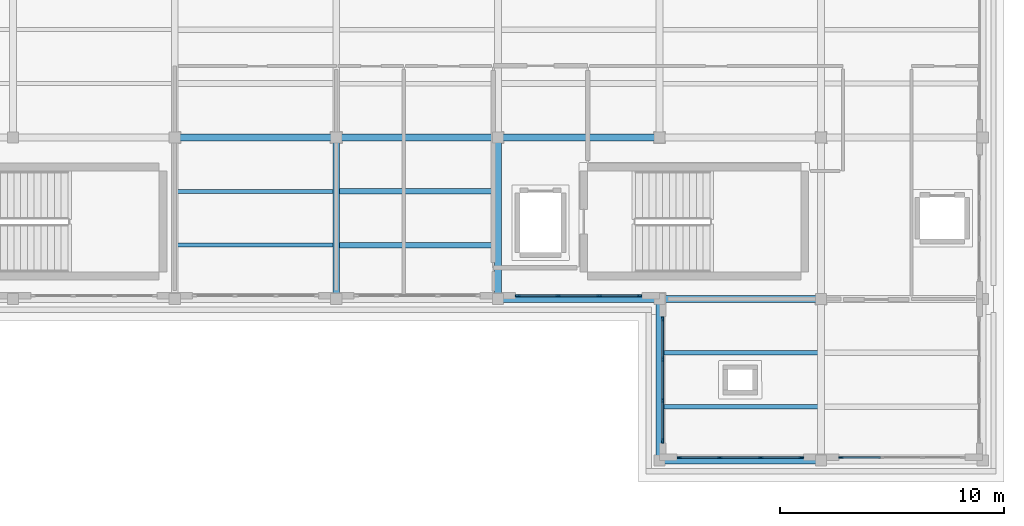
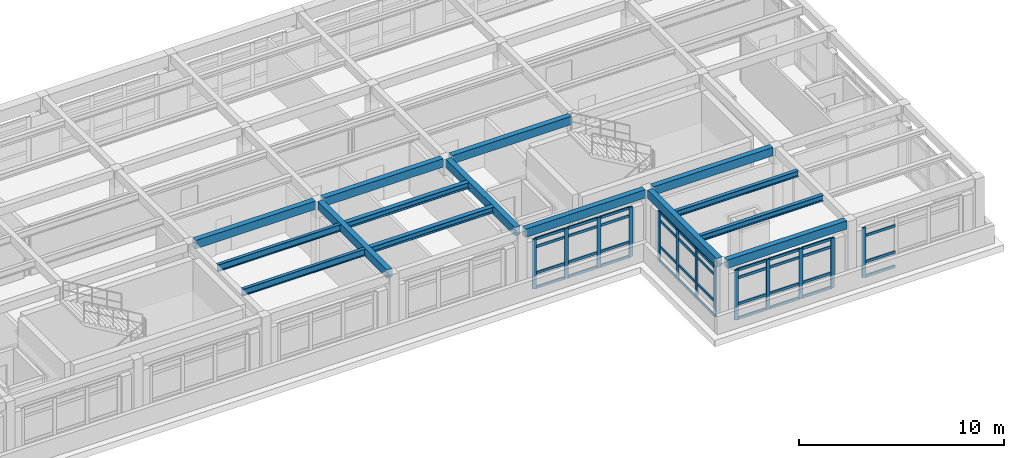
# One storey, part 5 of 18: 52 members, 15 beams, 4 elements without a shape of their own.
"""IFC4 building model written with IfcOpenShell, lengths in metres."""

from ifc_helpers import new_model, si_unit, direction, frame, origin, origin_2d, place, context, subcontext, project, spatial, rectangle, i_section, extrude, material, layer, layer_set, material_profile, profile_set, type_object, element, aggregate, save


model = new_model("IFC4")

# Units and contexts
model_context = context("Model", 3, precision=1e-05, world=origin(), true_north=direction((0.0, 1.0)))
body_context = subcontext(model_context, "Body", "Model", "MODEL_VIEW")
ifc_project = project(units=[si_unit("LENGTHUNIT", "METRE"), si_unit("AREAUNIT", "SQUARE_METRE"), si_unit("VOLUMEUNIT", "CUBIC_METRE"), si_unit("PLANEANGLEUNIT", "RADIAN"), si_unit("MASSUNIT", "GRAM", prefix="KILO")], contexts=[model_context])

# Site, building, storey
site_placement = place(None, origin())
site = spatial("IfcSite", under=ifc_project, at=site_placement, CompositionType="ELEMENT")
building_placement = place(site_placement, origin())
building = spatial("IfcBuilding", under=site, at=building_placement, Name="Solenvale Faculty of Natural Sciences", CompositionType="ELEMENT")
storey_placement = place(building_placement, frame((0.0, 0.0, 39.60009765625)))
storey = spatial("IfcBuildingStorey", under=building, at=storey_placement, Name="L09", CompositionType="ELEMENT", Elevation=39.60009765625)

# Beams
ifc_material_1 = material(Name="Concrete 40 MPa", Category="concrete")
ifc_material_profile_1 = material_profile(ifc_material_1, rectangle(XDim=0.300048828125, YDim=0.5, at=origin_2d()), Name="RC-BM-300x500")
ifc_profile_set_1 = profile_set([ifc_material_profile_1], Name="Concrete 40 MPa")
beam_type_1 = type_object("IfcBeamType", Name="BM-RC-300x500", PredefinedType="BEAM", material=ifc_profile_set_1)
for number, where, z_axis, x_axis, name in (
    (1, (137.030029296875, 86.39990234375, 3.669921875), (1.0, 0.0, 0.0), (0.0, 1.0, 0.0), "L09 X-Girder Y86.4 (136.8..144.0)"),
    (2, (129.830078125, 93.60009765625, 3.669921875), (1.0, 0.0, 0.0), (0.0, 1.0, 0.0), "L09 X-Girder Y93.6 (129.6..136.8)"),
    (3, (137.030029296875, 93.60009765625, 3.669921875), (1.0, 0.0, 0.0), (0.0, 1.0, 0.0), "L09 X-Girder Y93.6 (136.8..144.0)"),
    (4, (115.429931640625, 100.800048828125, 3.669921875), (1.0, 0.0, 0.0), (0.0, 1.0, 0.0), "L09 X-Girder Y100.8 (115.2..122.4)"),
):
    element("IfcBeam", number, at=place(storey_placement, frame(where, z_axis=z_axis, x_axis=x_axis)), inside=storey, type_object=beam_type_1, Name=name, PredefinedType="BEAM", context=body_context, shape_type="SweptSolid", body=[
        extrude(rectangle(XDim=0.300048828125, YDim=0.5, at=origin_2d()), origin(), (0.0, 0.0, 1.0), 6.739990234375),
    ])
beam_1_placement = place(storey_placement, frame((122.6298828125, 100.800048828125, 3.669921875), z_axis=(1.0, 0.0, 0.0), x_axis=(0.0, 1.0, 0.0)))
element("IfcBeam", 5, at=beam_1_placement, inside=storey, type_object=beam_type_1, Name="L09 X-Girder Y100.8 (122.4..129.6)", PredefinedType="BEAM", context=body_context, shape_type="SweptSolid", body=[
    extrude(rectangle(XDim=0.300048828125, YDim=0.5, at=origin_2d()), origin(), (0.0, 0.0, 1.0), 6.740234375),
])
for number, where, z_axis, x_axis, name in (
    (6, (129.830078125, 100.800048828125, 3.669921875), (1.0, 0.0, 0.0), (0.0, 1.0, 0.0), "L09 X-Girder Y100.8 (129.6..136.8)"),
    (7, (122.39990234375, 93.830078125, 3.669921875), (0.0, 1.0, 0.0), (-1.0, 0.0, 0.0), "L09 Y-Girder X122.4 (93.6..100.8)"),
    (8, (129.60009765625, 93.830078125, 3.669921875), (0.0, 1.0, 0.0), (-1.0, 0.0, 0.0), "L09 Y-Girder X129.6 (93.6..100.8)"),
):
    element("IfcBeam", number, at=place(storey_placement, frame(where, z_axis=z_axis, x_axis=x_axis)), inside=storey, type_object=beam_type_1, Name=name, PredefinedType="BEAM", context=body_context, shape_type="SweptSolid", body=[
        extrude(rectangle(XDim=0.300048828125, YDim=0.5, at=origin_2d()), origin(), (0.0, 0.0, 1.0), 6.739990234375),
    ])
beam_2_placement = place(storey_placement, frame((136.800048828125, 86.6298828125, 3.669921875), z_axis=(0.0, 1.0, 0.0), x_axis=(-1.0, 0.0, 0.0)))
element("IfcBeam", 9, at=beam_2_placement, inside=storey, type_object=beam_type_1, Name="L09 Y-Girder X136.8 (86.4..93.6)", PredefinedType="BEAM", context=body_context, shape_type="SweptSolid", body=[
    extrude(rectangle(XDim=0.300048828125, YDim=0.5, at=origin_2d()), origin(), (0.0, 0.0, 1.0), 6.740234375),
])
ifc_material_2 = material(Name="Steel S355", Category="steel")
ifc_material_profile_2 = material_profile(ifc_material_2, i_section(OverallWidth=0.2548828125, OverallDepth=0.35693359375, WebThickness=0.010498046875, FlangeThickness=0.018310546875, FilletRadius=0.014892578125, at=origin_2d()), Name="W360x101")
ifc_profile_set_2 = profile_set([ifc_material_profile_2], Name="Steel S355")
beam_type_2 = type_object("IfcBeamType", Name="BM-STL-W360x101", PredefinedType="JOIST", material=ifc_profile_set_2)
for number, where, z_axis, x_axis, name in (
    (10, (122.530029296875, 96.0, 3.741455078125), (1.0, 0.0, 0.0), (0.0, 1.0, 0.0), "L09 Composite Floor Joist (18,14).1"),
    (11, (122.530029296875, 98.39990234375, 3.741455078125), (1.0, 0.0, 0.0), (0.0, 1.0, 0.0), "L09 Composite Floor Joist (18,14).2"),
):
    element("IfcBeam", number, at=place(storey_placement, frame(where, z_axis=z_axis, x_axis=x_axis)), inside=storey, type_object=beam_type_2, Name=name, PredefinedType="JOIST", context=body_context, shape_type="SweptSolid", body=[
        extrude(i_section(OverallWidth=0.2548828125, OverallDepth=0.35693359375, WebThickness=0.010498046875, FlangeThickness=0.018310546875, FilletRadius=0.014892578125, at=origin_2d()), origin(), (0.0, 0.0, 1.0), 6.93994140625),
    ])
ifc_material_profile_3 = material_profile(ifc_material_2, i_section(OverallWidth=0.2041015625, OverallDepth=0.35009765625, WebThickness=0.008544921875, FlangeThickness=0.01513671875, FilletRadius=0.014892578125, at=origin_2d()), Name="W360x72")
ifc_profile_set_3 = profile_set([ifc_material_profile_3], Name="Steel S355")
beam_type_3 = type_object("IfcBeamType", Name="BM-STL-W360x72", PredefinedType="JOIST", material=ifc_profile_set_3)
for number, where, z_axis, x_axis, name in (
    (12, (136.929931640625, 88.800048828125, 3.744873046875), (1.0, 0.0, 0.0), (0.0, 1.0, 0.0), "L09 Composite Floor Joist (20,13).1"),
    (13, (136.929931640625, 91.199951171875, 3.744873046875), (1.0, 0.0, 0.0), (0.0, 1.0, 0.0), "L09 Composite Floor Joist (20,13).2"),
):
    element("IfcBeam", number, at=place(storey_placement, frame(where, z_axis=z_axis, x_axis=x_axis)), inside=storey, type_object=beam_type_3, Name=name, PredefinedType="JOIST", context=body_context, shape_type="SweptSolid", body=[
        extrude(i_section(OverallWidth=0.2041015625, OverallDepth=0.35009765625, WebThickness=0.008544921875, FlangeThickness=0.01513671875, FilletRadius=0.014892578125, at=origin_2d()), origin(), (0.0, 0.0, 1.0), 6.940185546875),
    ])
ifc_material_profile_4 = material_profile(ifc_material_2, i_section(OverallWidth=0.178955078125, OverallDepth=0.409912109375, WebThickness=0.0087890625, FlangeThickness=0.014404296875, FilletRadius=0.01611328125, at=origin_2d()), Name="W410x67")
ifc_profile_set_4 = profile_set([ifc_material_profile_4], Name="Steel S355")
beam_type_4 = type_object("IfcBeamType", Name="BM-STL-W410x67", PredefinedType="JOIST", material=ifc_profile_set_4)
for number, where, z_axis, x_axis, name in (
    (14, (115.330078125, 96.0, 3.71484375), (1.0, 0.0, 0.0), (0.0, 1.0, 0.0), "L09 Composite Floor Joist (17,14).1"),
    (15, (115.330078125, 98.39990234375, 3.71484375), (1.0, 0.0, 0.0), (0.0, 1.0, 0.0), "L09 Composite Floor Joist (17,14).2"),
):
    element("IfcBeam", number, at=place(storey_placement, frame(where, z_axis=z_axis, x_axis=x_axis)), inside=storey, type_object=beam_type_4, Name=name, PredefinedType="JOIST", context=body_context, shape_type="SweptSolid", body=[
        extrude(i_section(OverallWidth=0.178955078125, OverallDepth=0.409912109375, WebThickness=0.0087890625, FlangeThickness=0.014404296875, FilletRadius=0.01611328125, at=origin_2d()), origin(), (0.0, 0.0, 1.0), 6.93994140625),
    ])

# Curtain wall, members
ifc_material_3 = material(Name="Anodised bronze aluminium", Category="aluminium")
ifc_layer = layer(ifc_material_3, 0.179931640625)
ifc_layer_set = layer_set([ifc_layer], Name="Anodised bronze aluminium")
curtain_wall_type = type_object("IfcCurtainWallType", Name="CW-TWR-MOD", PredefinedType="USERDEFINED", material=ifc_layer_set)
curtain_wall_1_placement = place(storey_placement, origin())
curtain_wall_1 = element("IfcCurtainWall", 16, at=curtain_wall_1_placement, inside=storey, type_object=curtain_wall_type, Name="L09 Curtain Wall CW-L09-P1-E4-B6", ObjectType="UNITISED CURTAIN WALL", PredefinedType="USERDEFINED")
ifc_material_profile_5 = material_profile(ifc_material_3, rectangle(XDim=0.074951171875, YDim=0.2099609375, at=origin_2d()), Name="ALU-MUL-75x210")
ifc_profile_set_5 = profile_set([ifc_material_profile_5], Name="Anodised bronze aluminium")
member_type_1 = type_object("IfcMemberType", Name="CWM-ALU-75x210", PredefinedType="MULLION", material=ifc_profile_set_5)
member_1_placement = place(storey_placement, frame((130.487548828125, 93.742431640625, 0.0), z_axis=(0.0, 0.0, 1.0), x_axis=(0.0, 1.0, 0.0)))
member_1 = element("IfcMember", 17, at=member_1_placement, type_object=member_type_1, Name="CW-04 mullion 1", PredefinedType="MULLION", context=body_context, shape_type="SweptSolid", body=[
    extrude(rectangle(XDim=0.074951171875, YDim=0.2099609375, at=origin_2d()), origin(), (0.0, 0.0, 1.0), 2.9599609375),
])
member_2_placement = place(storey_placement, frame((132.283447265625, 93.742431640625, 0.0), z_axis=(0.0, 0.0, 1.0), x_axis=(0.0, 1.0, 0.0)))
member_2 = element("IfcMember", 18, at=member_2_placement, type_object=member_type_1, Name="CW-04 mullion 2", PredefinedType="MULLION", context=body_context, shape_type="SweptSolid", body=[
    extrude(rectangle(XDim=0.074951171875, YDim=0.2099609375, at=origin_2d()), origin(), (0.0, 0.0, 1.0), 2.9599609375),
])
member_3_placement = place(storey_placement, frame((134.11669921875, 93.742431640625, 0.0), z_axis=(0.0, 0.0, 1.0), x_axis=(0.0, 1.0, 0.0)))
member_3 = element("IfcMember", 19, at=member_3_placement, type_object=member_type_1, Name="CW-04 mullion 3", PredefinedType="MULLION", context=body_context, shape_type="SweptSolid", body=[
    extrude(rectangle(XDim=0.074951171875, YDim=0.2099609375, at=origin_2d()), origin(), (0.0, 0.0, 1.0), 2.9599609375),
])
member_4_placement = place(storey_placement, frame((135.91259765625, 93.742431640625, 0.0), z_axis=(0.0, 0.0, 1.0), x_axis=(0.0, 1.0, 0.0)))
member_4 = element("IfcMember", 20, at=member_4_placement, type_object=member_type_1, Name="CW-04 mullion 4", PredefinedType="MULLION", context=body_context, shape_type="SweptSolid", body=[
    extrude(rectangle(XDim=0.074951171875, YDim=0.2099609375, at=origin_2d()), origin(), (0.0, 0.0, 1.0), 2.9599609375),
])

curtain_wall_2_placement = place(storey_placement, origin())
curtain_wall_2 = element("IfcCurtainWall", 21, at=curtain_wall_2_placement, inside=storey, type_object=curtain_wall_type, Name="L09 Curtain Wall CW-L09-P1-E5-B1", ObjectType="UNITISED CURTAIN WALL", PredefinedType="USERDEFINED")
member_5_placement = place(storey_placement, frame((136.9423828125, 92.71240234375, 0.0), z_axis=(0.0, 0.0, 1.0), x_axis=(1.0, 0.0, 0.0)))
member_5 = element("IfcMember", 22, at=member_5_placement, type_object=member_type_1, Name="CW-04 mullion 1", PredefinedType="MULLION", context=body_context, shape_type="SweptSolid", body=[
    extrude(rectangle(XDim=0.074951171875, YDim=0.2099609375, at=origin_2d()), origin(), (0.0, 0.0, 1.0), 2.9599609375),
])
member_6_placement = place(storey_placement, frame((136.9423828125, 90.916748046875, 0.0), z_axis=(0.0, 0.0, 1.0), x_axis=(1.0, 0.0, 0.0)))
member_6 = element("IfcMember", 23, at=member_6_placement, type_object=member_type_1, Name="CW-04 mullion 2", PredefinedType="MULLION", context=body_context, shape_type="SweptSolid", body=[
    extrude(rectangle(XDim=0.074951171875, YDim=0.2099609375, at=origin_2d()), origin(), (0.0, 0.0, 1.0), 2.9599609375),
])
member_7_placement = place(storey_placement, frame((136.9423828125, 89.083251953125, 0.0), z_axis=(0.0, 0.0, 1.0), x_axis=(1.0, 0.0, 0.0)))
member_7 = element("IfcMember", 24, at=member_7_placement, type_object=member_type_1, Name="CW-04 mullion 3", PredefinedType="MULLION", context=body_context, shape_type="SweptSolid", body=[
    extrude(rectangle(XDim=0.074951171875, YDim=0.2099609375, at=origin_2d()), origin(), (0.0, 0.0, 1.0), 2.9599609375),
])
member_8_placement = place(storey_placement, frame((136.9423828125, 87.28759765625, 0.0), z_axis=(0.0, 0.0, 1.0), x_axis=(1.0, 0.0, 0.0)))
member_8 = element("IfcMember", 25, at=member_8_placement, type_object=member_type_1, Name="CW-04 mullion 4", PredefinedType="MULLION", context=body_context, shape_type="SweptSolid", body=[
    extrude(rectangle(XDim=0.074951171875, YDim=0.2099609375, at=origin_2d()), origin(), (0.0, 0.0, 1.0), 2.9599609375),
])

curtain_wall_3_placement = place(storey_placement, origin())
curtain_wall_3 = element("IfcCurtainWall", 26, at=curtain_wall_3_placement, inside=storey, type_object=curtain_wall_type, Name="L09 Curtain Wall CW-L09-P1-E6-B1", ObjectType="UNITISED CURTAIN WALL", PredefinedType="USERDEFINED")
member_9_placement = place(storey_placement, frame((137.6875, 86.54248046875, 0.0), z_axis=(0.0, 0.0, 1.0), x_axis=(0.0, 1.0, 0.0)))
member_9 = element("IfcMember", 27, at=member_9_placement, type_object=member_type_1, Name="CW-04 mullion 1", PredefinedType="MULLION", context=body_context, shape_type="SweptSolid", body=[
    extrude(rectangle(XDim=0.074951171875, YDim=0.2099609375, at=origin_2d()), origin(), (0.0, 0.0, 1.0), 2.9599609375),
])
member_10_placement = place(storey_placement, frame((139.4833984375, 86.54248046875, 0.0), z_axis=(0.0, 0.0, 1.0), x_axis=(0.0, 1.0, 0.0)))
member_10 = element("IfcMember", 28, at=member_10_placement, type_object=member_type_1, Name="CW-04 mullion 2", PredefinedType="MULLION", context=body_context, shape_type="SweptSolid", body=[
    extrude(rectangle(XDim=0.074951171875, YDim=0.2099609375, at=origin_2d()), origin(), (0.0, 0.0, 1.0), 2.9599609375),
])
member_11_placement = place(storey_placement, frame((141.316650390625, 86.54248046875, 0.0), z_axis=(0.0, 0.0, 1.0), x_axis=(0.0, 1.0, 0.0)))
member_11 = element("IfcMember", 29, at=member_11_placement, type_object=member_type_1, Name="CW-04 mullion 3", PredefinedType="MULLION", context=body_context, shape_type="SweptSolid", body=[
    extrude(rectangle(XDim=0.074951171875, YDim=0.2099609375, at=origin_2d()), origin(), (0.0, 0.0, 1.0), 2.9599609375),
])
member_12_placement = place(storey_placement, frame((143.112548828125, 86.54248046875, 0.0), z_axis=(0.0, 0.0, 1.0), x_axis=(0.0, 1.0, 0.0)))
member_12 = element("IfcMember", 30, at=member_12_placement, type_object=member_type_1, Name="CW-04 mullion 4", PredefinedType="MULLION", context=body_context, shape_type="SweptSolid", body=[
    extrude(rectangle(XDim=0.074951171875, YDim=0.2099609375, at=origin_2d()), origin(), (0.0, 0.0, 1.0), 2.9599609375),
])

# Curtain wall, member
curtain_wall_4_placement = place(storey_placement, origin())
curtain_wall_4 = element("IfcCurtainWall", 31, at=curtain_wall_4_placement, inside=storey, type_object=curtain_wall_type, Name="L09 Curtain Wall CW-L09-P1-E6-B2", ObjectType="UNITISED CURTAIN WALL", PredefinedType="USERDEFINED")
member_13_placement = place(storey_placement, frame((144.887451171875, 86.54248046875, 0.0), z_axis=(0.0, 0.0, 1.0), x_axis=(0.0, 1.0, 0.0)))
member_13 = element("IfcMember", 32, at=member_13_placement, type_object=member_type_1, Name="CW-04 mullion 1", PredefinedType="MULLION", context=body_context, shape_type="SweptSolid", body=[
    extrude(rectangle(XDim=0.074951171875, YDim=0.2099609375, at=origin_2d()), origin(), (0.0, 0.0, 1.0), 2.9599609375),
])

# Member
ifc_material_profile_6 = material_profile(ifc_material_3, rectangle(XDim=0.074951171875, YDim=0.155029296875, at=origin_2d()), Name="ALU-TRN-75x155")
ifc_profile_set_6 = profile_set([ifc_material_profile_6], Name="Anodised bronze aluminium")
member_type_2 = type_object("IfcMemberType", Name="CWT-ALU-75x155", PredefinedType="USERDEFINED", material=ifc_profile_set_6)
member_14_placement = place(storey_placement, frame((130.52490234375, 93.742431640625, 0.037353515625), z_axis=(1.0, 0.0, 0.0), x_axis=(0.0, 1.0, 0.0)))
member_14 = element("IfcMember", 33, at=member_14_placement, type_object=member_type_2, Name="CW-04 transom 1.1", ObjectType="TRANSOM", PredefinedType="USERDEFINED", context=body_context, shape_type="SweptSolid", body=[
    extrude(rectangle(XDim=0.074951171875, YDim=0.155029296875, at=origin_2d()), origin(), (0.0, 0.0, 1.0), 1.720947265625),
])

member_15_placement = place(storey_placement, frame((130.52490234375, 93.742431640625, 0.89990234375), z_axis=(1.0, 0.0, 0.0), x_axis=(0.0, 1.0, 0.0)))
member_15 = element("IfcMember", 34, at=member_15_placement, type_object=member_type_2, Name="CW-04 transom 1.2", ObjectType="TRANSOM", PredefinedType="USERDEFINED", context=body_context, shape_type="SweptSolid", body=[
    extrude(rectangle(XDim=0.074951171875, YDim=0.155029296875, at=origin_2d()), origin(), (0.0, 0.0, 1.0), 1.720947265625),
])

member_16_placement = place(storey_placement, frame((130.52490234375, 93.742431640625, 2.4599609375), z_axis=(1.0, 0.0, 0.0), x_axis=(0.0, 1.0, 0.0)))
member_16 = element("IfcMember", 35, at=member_16_placement, type_object=member_type_2, Name="CW-04 transom 1.3", ObjectType="TRANSOM", PredefinedType="USERDEFINED", context=body_context, shape_type="SweptSolid", body=[
    extrude(rectangle(XDim=0.074951171875, YDim=0.155029296875, at=origin_2d()), origin(), (0.0, 0.0, 1.0), 1.720947265625),
])

member_17_placement = place(storey_placement, frame((130.52490234375, 93.742431640625, 2.92236328125), z_axis=(1.0, 0.0, 0.0), x_axis=(0.0, 1.0, 0.0)))
member_17 = element("IfcMember", 36, at=member_17_placement, type_object=member_type_2, Name="CW-04 transom 1.4", ObjectType="TRANSOM", PredefinedType="USERDEFINED", context=body_context, shape_type="SweptSolid", body=[
    extrude(rectangle(XDim=0.074951171875, YDim=0.155029296875, at=origin_2d()), origin(), (0.0, 0.0, 1.0), 1.720947265625),
])

member_18_placement = place(storey_placement, frame((132.32080078125, 93.742431640625, 0.037353515625), z_axis=(1.0, 0.0, 0.0), x_axis=(0.0, 1.0, 0.0)))
member_18 = element("IfcMember", 37, at=member_18_placement, type_object=member_type_2, Name="CW-04 transom 2.1", ObjectType="TRANSOM", PredefinedType="USERDEFINED", context=body_context, shape_type="SweptSolid", body=[
    extrude(rectangle(XDim=0.074951171875, YDim=0.155029296875, at=origin_2d()), origin(), (0.0, 0.0, 1.0), 1.75830078125),
])

member_19_placement = place(storey_placement, frame((132.32080078125, 93.742431640625, 0.89990234375), z_axis=(1.0, 0.0, 0.0), x_axis=(0.0, 1.0, 0.0)))
member_19 = element("IfcMember", 38, at=member_19_placement, type_object=member_type_2, Name="CW-04 transom 2.2", ObjectType="TRANSOM", PredefinedType="USERDEFINED", context=body_context, shape_type="SweptSolid", body=[
    extrude(rectangle(XDim=0.074951171875, YDim=0.155029296875, at=origin_2d()), origin(), (0.0, 0.0, 1.0), 1.75830078125),
])

member_20_placement = place(storey_placement, frame((132.32080078125, 93.742431640625, 2.4599609375), z_axis=(1.0, 0.0, 0.0), x_axis=(0.0, 1.0, 0.0)))
member_20 = element("IfcMember", 39, at=member_20_placement, type_object=member_type_2, Name="CW-04 transom 2.3", ObjectType="TRANSOM", PredefinedType="USERDEFINED", context=body_context, shape_type="SweptSolid", body=[
    extrude(rectangle(XDim=0.074951171875, YDim=0.155029296875, at=origin_2d()), origin(), (0.0, 0.0, 1.0), 1.75830078125),
])

member_21_placement = place(storey_placement, frame((132.32080078125, 93.742431640625, 2.92236328125), z_axis=(1.0, 0.0, 0.0), x_axis=(0.0, 1.0, 0.0)))
member_21 = element("IfcMember", 40, at=member_21_placement, type_object=member_type_2, Name="CW-04 transom 2.4", ObjectType="TRANSOM", PredefinedType="USERDEFINED", context=body_context, shape_type="SweptSolid", body=[
    extrude(rectangle(XDim=0.074951171875, YDim=0.155029296875, at=origin_2d()), origin(), (0.0, 0.0, 1.0), 1.75830078125),
])

member_22_placement = place(storey_placement, frame((134.154052734375, 93.742431640625, 0.037353515625), z_axis=(1.0, 0.0, 0.0), x_axis=(0.0, 1.0, 0.0)))
member_22 = element("IfcMember", 41, at=member_22_placement, type_object=member_type_2, Name="CW-04 transom 3.1", ObjectType="TRANSOM", PredefinedType="USERDEFINED", context=body_context, shape_type="SweptSolid", body=[
    extrude(rectangle(XDim=0.074951171875, YDim=0.155029296875, at=origin_2d()), origin(), (0.0, 0.0, 1.0), 1.720947265625),
])

member_23_placement = place(storey_placement, frame((134.154052734375, 93.742431640625, 0.89990234375), z_axis=(1.0, 0.0, 0.0), x_axis=(0.0, 1.0, 0.0)))
member_23 = element("IfcMember", 42, at=member_23_placement, type_object=member_type_2, Name="CW-04 transom 3.2", ObjectType="TRANSOM", PredefinedType="USERDEFINED", context=body_context, shape_type="SweptSolid", body=[
    extrude(rectangle(XDim=0.074951171875, YDim=0.155029296875, at=origin_2d()), origin(), (0.0, 0.0, 1.0), 1.720947265625),
])

member_24_placement = place(storey_placement, frame((134.154052734375, 93.742431640625, 2.4599609375), z_axis=(1.0, 0.0, 0.0), x_axis=(0.0, 1.0, 0.0)))
member_24 = element("IfcMember", 43, at=member_24_placement, type_object=member_type_2, Name="CW-04 transom 3.3", ObjectType="TRANSOM", PredefinedType="USERDEFINED", context=body_context, shape_type="SweptSolid", body=[
    extrude(rectangle(XDim=0.074951171875, YDim=0.155029296875, at=origin_2d()), origin(), (0.0, 0.0, 1.0), 1.720947265625),
])

member_25_placement = place(storey_placement, frame((134.154052734375, 93.742431640625, 2.92236328125), z_axis=(1.0, 0.0, 0.0), x_axis=(0.0, 1.0, 0.0)))
member_25 = element("IfcMember", 44, at=member_25_placement, type_object=member_type_2, Name="CW-04 transom 3.4", ObjectType="TRANSOM", PredefinedType="USERDEFINED", context=body_context, shape_type="SweptSolid", body=[
    extrude(rectangle(XDim=0.074951171875, YDim=0.155029296875, at=origin_2d()), origin(), (0.0, 0.0, 1.0), 1.720947265625),
])

aggregate(curtain_wall_1, [member_1, member_2, member_3, member_4, member_14, member_15, member_16, member_17, member_18, member_19, member_20, member_21, member_22, member_23, member_24, member_25])

member_26_placement = place(storey_placement, frame((136.9423828125, 92.675048828125, 0.037353515625), z_axis=(0.0, -1.0, 0.0), x_axis=(1.0, 0.0, 0.0)))
member_26 = element("IfcMember", 45, at=member_26_placement, type_object=member_type_2, Name="CW-04 transom 1.1", ObjectType="TRANSOM", PredefinedType="USERDEFINED", context=body_context, shape_type="SweptSolid", body=[
    extrude(rectangle(XDim=0.074951171875, YDim=0.155029296875, at=origin_2d()), origin(), (0.0, 0.0, 1.0), 1.720947265625),
])

member_27_placement = place(storey_placement, frame((136.9423828125, 92.675048828125, 0.89990234375), z_axis=(0.0, -1.0, 0.0), x_axis=(1.0, 0.0, 0.0)))
member_27 = element("IfcMember", 46, at=member_27_placement, type_object=member_type_2, Name="CW-04 transom 1.2", ObjectType="TRANSOM", PredefinedType="USERDEFINED", context=body_context, shape_type="SweptSolid", body=[
    extrude(rectangle(XDim=0.074951171875, YDim=0.155029296875, at=origin_2d()), origin(), (0.0, 0.0, 1.0), 1.720947265625),
])

member_28_placement = place(storey_placement, frame((136.9423828125, 92.675048828125, 2.4599609375), z_axis=(0.0, -1.0, 0.0), x_axis=(1.0, 0.0, 0.0)))
member_28 = element("IfcMember", 47, at=member_28_placement, type_object=member_type_2, Name="CW-04 transom 1.3", ObjectType="TRANSOM", PredefinedType="USERDEFINED", context=body_context, shape_type="SweptSolid", body=[
    extrude(rectangle(XDim=0.074951171875, YDim=0.155029296875, at=origin_2d()), origin(), (0.0, 0.0, 1.0), 1.720947265625),
])

member_29_placement = place(storey_placement, frame((136.9423828125, 92.675048828125, 2.92236328125), z_axis=(0.0, -1.0, 0.0), x_axis=(1.0, 0.0, 0.0)))
member_29 = element("IfcMember", 48, at=member_29_placement, type_object=member_type_2, Name="CW-04 transom 1.4", ObjectType="TRANSOM", PredefinedType="USERDEFINED", context=body_context, shape_type="SweptSolid", body=[
    extrude(rectangle(XDim=0.074951171875, YDim=0.155029296875, at=origin_2d()), origin(), (0.0, 0.0, 1.0), 1.720947265625),
])

member_30_placement = place(storey_placement, frame((136.9423828125, 90.879150390625, 0.037353515625), z_axis=(0.0, -1.0, 0.0), x_axis=(1.0, 0.0, 0.0)))
member_30 = element("IfcMember", 49, at=member_30_placement, type_object=member_type_2, Name="CW-04 transom 2.1", ObjectType="TRANSOM", PredefinedType="USERDEFINED", context=body_context, shape_type="SweptSolid", body=[
    extrude(rectangle(XDim=0.074951171875, YDim=0.155029296875, at=origin_2d()), origin(), (0.0, 0.0, 1.0), 1.75830078125),
])

member_31_placement = place(storey_placement, frame((136.9423828125, 90.879150390625, 0.89990234375), z_axis=(0.0, -1.0, 0.0), x_axis=(1.0, 0.0, 0.0)))
member_31 = element("IfcMember", 50, at=member_31_placement, type_object=member_type_2, Name="CW-04 transom 2.2", ObjectType="TRANSOM", PredefinedType="USERDEFINED", context=body_context, shape_type="SweptSolid", body=[
    extrude(rectangle(XDim=0.074951171875, YDim=0.155029296875, at=origin_2d()), origin(), (0.0, 0.0, 1.0), 1.75830078125),
])

member_32_placement = place(storey_placement, frame((136.9423828125, 90.879150390625, 2.4599609375), z_axis=(0.0, -1.0, 0.0), x_axis=(1.0, 0.0, 0.0)))
member_32 = element("IfcMember", 51, at=member_32_placement, type_object=member_type_2, Name="CW-04 transom 2.3", ObjectType="TRANSOM", PredefinedType="USERDEFINED", context=body_context, shape_type="SweptSolid", body=[
    extrude(rectangle(XDim=0.074951171875, YDim=0.155029296875, at=origin_2d()), origin(), (0.0, 0.0, 1.0), 1.75830078125),
])

member_33_placement = place(storey_placement, frame((136.9423828125, 90.879150390625, 2.92236328125), z_axis=(0.0, -1.0, 0.0), x_axis=(1.0, 0.0, 0.0)))
member_33 = element("IfcMember", 52, at=member_33_placement, type_object=member_type_2, Name="CW-04 transom 2.4", ObjectType="TRANSOM", PredefinedType="USERDEFINED", context=body_context, shape_type="SweptSolid", body=[
    extrude(rectangle(XDim=0.074951171875, YDim=0.155029296875, at=origin_2d()), origin(), (0.0, 0.0, 1.0), 1.75830078125),
])

member_34_placement = place(storey_placement, frame((136.9423828125, 89.0458984375, 0.037353515625), z_axis=(0.0, -1.0, 0.0), x_axis=(1.0, 0.0, 0.0)))
member_34 = element("IfcMember", 53, at=member_34_placement, type_object=member_type_2, Name="CW-04 transom 3.1", ObjectType="TRANSOM", PredefinedType="USERDEFINED", context=body_context, shape_type="SweptSolid", body=[
    extrude(rectangle(XDim=0.074951171875, YDim=0.155029296875, at=origin_2d()), origin(), (0.0, 0.0, 1.0), 1.720947265625),
])

member_35_placement = place(storey_placement, frame((136.9423828125, 89.0458984375, 0.89990234375), z_axis=(0.0, -1.0, 0.0), x_axis=(1.0, 0.0, 0.0)))
member_35 = element("IfcMember", 54, at=member_35_placement, type_object=member_type_2, Name="CW-04 transom 3.2", ObjectType="TRANSOM", PredefinedType="USERDEFINED", context=body_context, shape_type="SweptSolid", body=[
    extrude(rectangle(XDim=0.074951171875, YDim=0.155029296875, at=origin_2d()), origin(), (0.0, 0.0, 1.0), 1.720947265625),
])

member_36_placement = place(storey_placement, frame((136.9423828125, 89.0458984375, 2.4599609375), z_axis=(0.0, -1.0, 0.0), x_axis=(1.0, 0.0, 0.0)))
member_36 = element("IfcMember", 55, at=member_36_placement, type_object=member_type_2, Name="CW-04 transom 3.3", ObjectType="TRANSOM", PredefinedType="USERDEFINED", context=body_context, shape_type="SweptSolid", body=[
    extrude(rectangle(XDim=0.074951171875, YDim=0.155029296875, at=origin_2d()), origin(), (0.0, 0.0, 1.0), 1.720947265625),
])

member_37_placement = place(storey_placement, frame((136.9423828125, 89.0458984375, 2.92236328125), z_axis=(0.0, -1.0, 0.0), x_axis=(1.0, 0.0, 0.0)))
member_37 = element("IfcMember", 56, at=member_37_placement, type_object=member_type_2, Name="CW-04 transom 3.4", ObjectType="TRANSOM", PredefinedType="USERDEFINED", context=body_context, shape_type="SweptSolid", body=[
    extrude(rectangle(XDim=0.074951171875, YDim=0.155029296875, at=origin_2d()), origin(), (0.0, 0.0, 1.0), 1.720947265625),
])

aggregate(curtain_wall_2, [member_5, member_6, member_7, member_8, member_26, member_27, member_28, member_29, member_30, member_31, member_32, member_33, member_34, member_35, member_36, member_37])

member_38_placement = place(storey_placement, frame((137.72509765625, 86.54248046875, 0.037353515625), z_axis=(1.0, 0.0, 0.0), x_axis=(0.0, 1.0, 0.0)))
member_38 = element("IfcMember", 57, at=member_38_placement, type_object=member_type_2, Name="CW-04 transom 1.1", ObjectType="TRANSOM", PredefinedType="USERDEFINED", context=body_context, shape_type="SweptSolid", body=[
    extrude(rectangle(XDim=0.074951171875, YDim=0.155029296875, at=origin_2d()), origin(), (0.0, 0.0, 1.0), 1.720703125),
])

member_39_placement = place(storey_placement, frame((137.72509765625, 86.54248046875, 0.89990234375), z_axis=(1.0, 0.0, 0.0), x_axis=(0.0, 1.0, 0.0)))
member_39 = element("IfcMember", 58, at=member_39_placement, type_object=member_type_2, Name="CW-04 transom 1.2", ObjectType="TRANSOM", PredefinedType="USERDEFINED", context=body_context, shape_type="SweptSolid", body=[
    extrude(rectangle(XDim=0.074951171875, YDim=0.155029296875, at=origin_2d()), origin(), (0.0, 0.0, 1.0), 1.720703125),
])

member_40_placement = place(storey_placement, frame((137.72509765625, 86.54248046875, 2.4599609375), z_axis=(1.0, 0.0, 0.0), x_axis=(0.0, 1.0, 0.0)))
member_40 = element("IfcMember", 59, at=member_40_placement, type_object=member_type_2, Name="CW-04 transom 1.3", ObjectType="TRANSOM", PredefinedType="USERDEFINED", context=body_context, shape_type="SweptSolid", body=[
    extrude(rectangle(XDim=0.074951171875, YDim=0.155029296875, at=origin_2d()), origin(), (0.0, 0.0, 1.0), 1.720703125),
])

member_41_placement = place(storey_placement, frame((137.72509765625, 86.54248046875, 2.92236328125), z_axis=(1.0, 0.0, 0.0), x_axis=(0.0, 1.0, 0.0)))
member_41 = element("IfcMember", 60, at=member_41_placement, type_object=member_type_2, Name="CW-04 transom 1.4", ObjectType="TRANSOM", PredefinedType="USERDEFINED", context=body_context, shape_type="SweptSolid", body=[
    extrude(rectangle(XDim=0.074951171875, YDim=0.155029296875, at=origin_2d()), origin(), (0.0, 0.0, 1.0), 1.720703125),
])

member_42_placement = place(storey_placement, frame((139.520751953125, 86.54248046875, 0.037353515625), z_axis=(1.0, 0.0, 0.0), x_axis=(0.0, 1.0, 0.0)))
member_42 = element("IfcMember", 61, at=member_42_placement, type_object=member_type_2, Name="CW-04 transom 2.1", ObjectType="TRANSOM", PredefinedType="USERDEFINED", context=body_context, shape_type="SweptSolid", body=[
    extrude(rectangle(XDim=0.074951171875, YDim=0.155029296875, at=origin_2d()), origin(), (0.0, 0.0, 1.0), 1.75830078125),
])

member_43_placement = place(storey_placement, frame((139.520751953125, 86.54248046875, 0.89990234375), z_axis=(1.0, 0.0, 0.0), x_axis=(0.0, 1.0, 0.0)))
member_43 = element("IfcMember", 62, at=member_43_placement, type_object=member_type_2, Name="CW-04 transom 2.2", ObjectType="TRANSOM", PredefinedType="USERDEFINED", context=body_context, shape_type="SweptSolid", body=[
    extrude(rectangle(XDim=0.074951171875, YDim=0.155029296875, at=origin_2d()), origin(), (0.0, 0.0, 1.0), 1.75830078125),
])

member_44_placement = place(storey_placement, frame((139.520751953125, 86.54248046875, 2.4599609375), z_axis=(1.0, 0.0, 0.0), x_axis=(0.0, 1.0, 0.0)))
member_44 = element("IfcMember", 63, at=member_44_placement, type_object=member_type_2, Name="CW-04 transom 2.3", ObjectType="TRANSOM", PredefinedType="USERDEFINED", context=body_context, shape_type="SweptSolid", body=[
    extrude(rectangle(XDim=0.074951171875, YDim=0.155029296875, at=origin_2d()), origin(), (0.0, 0.0, 1.0), 1.75830078125),
])

member_45_placement = place(storey_placement, frame((139.520751953125, 86.54248046875, 2.92236328125), z_axis=(1.0, 0.0, 0.0), x_axis=(0.0, 1.0, 0.0)))
member_45 = element("IfcMember", 64, at=member_45_placement, type_object=member_type_2, Name="CW-04 transom 2.4", ObjectType="TRANSOM", PredefinedType="USERDEFINED", context=body_context, shape_type="SweptSolid", body=[
    extrude(rectangle(XDim=0.074951171875, YDim=0.155029296875, at=origin_2d()), origin(), (0.0, 0.0, 1.0), 1.75830078125),
])

member_46_placement = place(storey_placement, frame((141.354248046875, 86.54248046875, 0.037353515625), z_axis=(1.0, 0.0, 0.0), x_axis=(0.0, 1.0, 0.0)))
member_46 = element("IfcMember", 65, at=member_46_placement, type_object=member_type_2, Name="CW-04 transom 3.1", ObjectType="TRANSOM", PredefinedType="USERDEFINED", context=body_context, shape_type="SweptSolid", body=[
    extrude(rectangle(XDim=0.074951171875, YDim=0.155029296875, at=origin_2d()), origin(), (0.0, 0.0, 1.0), 1.720703125),
])

member_47_placement = place(storey_placement, frame((141.354248046875, 86.54248046875, 0.89990234375), z_axis=(1.0, 0.0, 0.0), x_axis=(0.0, 1.0, 0.0)))
member_47 = element("IfcMember", 66, at=member_47_placement, type_object=member_type_2, Name="CW-04 transom 3.2", ObjectType="TRANSOM", PredefinedType="USERDEFINED", context=body_context, shape_type="SweptSolid", body=[
    extrude(rectangle(XDim=0.074951171875, YDim=0.155029296875, at=origin_2d()), origin(), (0.0, 0.0, 1.0), 1.720703125),
])

member_48_placement = place(storey_placement, frame((141.354248046875, 86.54248046875, 2.4599609375), z_axis=(1.0, 0.0, 0.0), x_axis=(0.0, 1.0, 0.0)))
member_48 = element("IfcMember", 67, at=member_48_placement, type_object=member_type_2, Name="CW-04 transom 3.3", ObjectType="TRANSOM", PredefinedType="USERDEFINED", context=body_context, shape_type="SweptSolid", body=[
    extrude(rectangle(XDim=0.074951171875, YDim=0.155029296875, at=origin_2d()), origin(), (0.0, 0.0, 1.0), 1.720703125),
])

member_49_placement = place(storey_placement, frame((141.354248046875, 86.54248046875, 2.92236328125), z_axis=(1.0, 0.0, 0.0), x_axis=(0.0, 1.0, 0.0)))
member_49 = element("IfcMember", 68, at=member_49_placement, type_object=member_type_2, Name="CW-04 transom 3.4", ObjectType="TRANSOM", PredefinedType="USERDEFINED", context=body_context, shape_type="SweptSolid", body=[
    extrude(rectangle(XDim=0.074951171875, YDim=0.155029296875, at=origin_2d()), origin(), (0.0, 0.0, 1.0), 1.720703125),
])

aggregate(curtain_wall_3, [member_9, member_10, member_11, member_12, member_38, member_39, member_40, member_41, member_42, member_43, member_44, member_45, member_46, member_47, member_48, member_49])

member_50_placement = place(storey_placement, frame((144.925048828125, 86.54248046875, 0.037353515625), z_axis=(1.0, 0.0, 0.0), x_axis=(0.0, 1.0, 0.0)))
member_50 = element("IfcMember", 69, at=member_50_placement, type_object=member_type_2, Name="CW-04 transom 1.1", ObjectType="TRANSOM", PredefinedType="USERDEFINED", context=body_context, shape_type="SweptSolid", body=[
    extrude(rectangle(XDim=0.074951171875, YDim=0.155029296875, at=origin_2d()), origin(), (0.0, 0.0, 1.0), 1.720703125),
])

member_51_placement = place(storey_placement, frame((144.925048828125, 86.54248046875, 0.89990234375), z_axis=(1.0, 0.0, 0.0), x_axis=(0.0, 1.0, 0.0)))
member_51 = element("IfcMember", 70, at=member_51_placement, type_object=member_type_2, Name="CW-04 transom 1.2", ObjectType="TRANSOM", PredefinedType="USERDEFINED", context=body_context, shape_type="SweptSolid", body=[
    extrude(rectangle(XDim=0.074951171875, YDim=0.155029296875, at=origin_2d()), origin(), (0.0, 0.0, 1.0), 1.720703125),
])

member_52_placement = place(storey_placement, frame((144.925048828125, 86.54248046875, 2.4599609375), z_axis=(1.0, 0.0, 0.0), x_axis=(0.0, 1.0, 0.0)))
member_52 = element("IfcMember", 71, at=member_52_placement, type_object=member_type_2, Name="CW-04 transom 1.3", ObjectType="TRANSOM", PredefinedType="USERDEFINED", context=body_context, shape_type="SweptSolid", body=[
    extrude(rectangle(XDim=0.074951171875, YDim=0.155029296875, at=origin_2d()), origin(), (0.0, 0.0, 1.0), 1.720703125),
])

aggregate(curtain_wall_4, [member_13, member_50, member_51, member_52])

save(model, "model.ifc")
